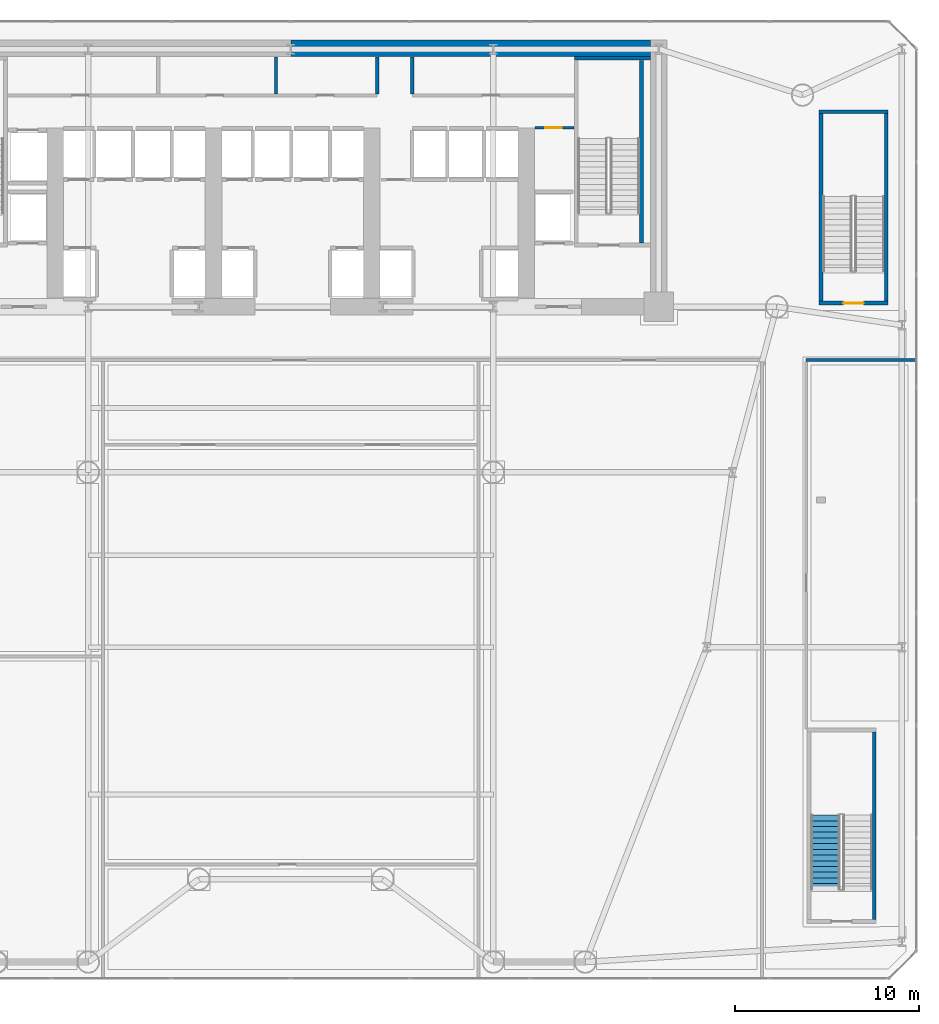
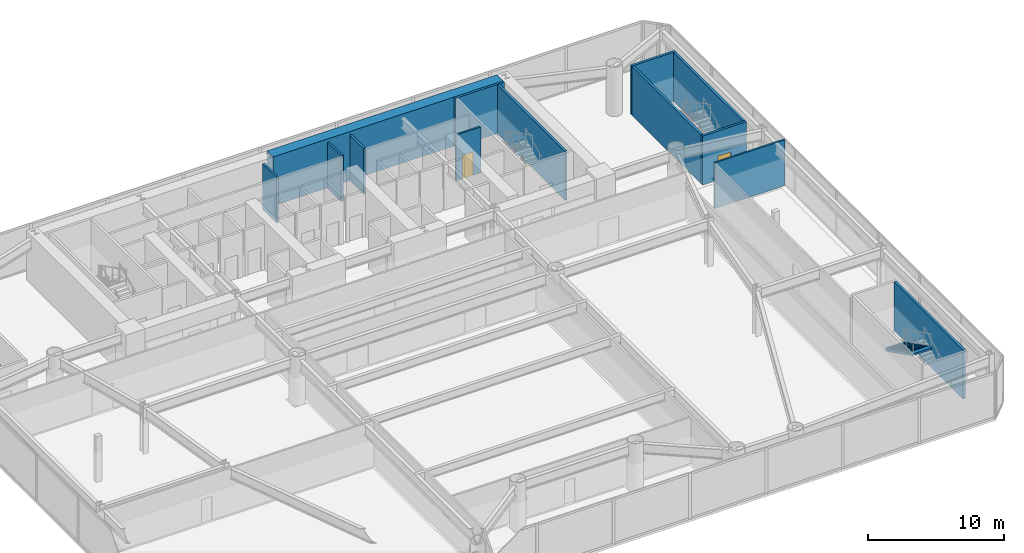
# One storey, part 16 of 24: 13 walls, 2 doors, 1 stair flight, 2 openings, 1 element without a shape of its own.
"""IFC4 building model written with IfcOpenShell, lengths in metres."""

from ifc_helpers import new_model, si_unit, direction, frame, frame_2d, origin, place, context, subcontext, project, spatial, polyline, rectangle, outline, extrude, source, transform, mapped, material, layer, layer_set, type_object, element, fill, aggregate, save


model = new_model("IFC4")

# Units and contexts
model_context = context("Model", 3, precision=1e-05, world=origin(), true_north=direction((0.0, 1.0)))
body_context = subcontext(model_context, "Body", "Model", "MODEL_VIEW")
ifc_project = project(units=[si_unit("LENGTHUNIT", "METRE"), si_unit("AREAUNIT", "SQUARE_METRE"), si_unit("VOLUMEUNIT", "CUBIC_METRE"), si_unit("PLANEANGLEUNIT", "RADIAN"), si_unit("MASSUNIT", "GRAM", prefix="KILO")], contexts=[model_context])

# Site, building, storey
site_placement = place(None, origin())
site = spatial("IfcSite", under=ifc_project, at=site_placement, CompositionType="ELEMENT")
building_placement = place(site_placement, origin())
building = spatial("IfcBuilding", under=site, at=building_placement, Name="Vaeldorn Concourse Tower", CompositionType="ELEMENT")
storey_placement = place(building_placement, frame((0.0, 0.0, 10.0)))
storey = spatial("IfcBuildingStorey", under=building, at=storey_placement, Name="L02", CompositionType="ELEMENT", Elevation=10.0)

# Wall
ifc_material_1 = material(Name="Concrete C60/75", Category="concrete")
ifc_layer_1 = layer(ifc_material_1, 0.89990234375)
ifc_layer_set_1 = layer_set([ifc_layer_1], Name="Concrete C60/75")
wall_type_1 = type_object("IfcWallType", Name="WL-CORE-900", PredefinedType="SHEAR", material=ifc_layer_set_1)
wall_1_placement = place(storey_placement, frame((34.001953125, 50.550048828125, 0.0), z_axis=(0.0, 0.0, 1.0), x_axis=(1.0, 0.0, 0.0)))
element("IfcWall", 1, at=wall_1_placement, inside=storey, type_object=wall_type_1, Name="Rear Core Shear Wall L02 N2", PredefinedType="SHEAR", context=body_context, shape_type="SweptSolid", body=[
    extrude(rectangle(XDim=19.5439453125, YDim=0.89990234375, at=frame_2d((9.77197265625, 0.0))), origin(), (0.0, 0.0, 1.0), 4.39990234375),
])

# Wall, opening, door
ifc_material_2 = material(Name="Gypsum Board Partition", Category="gypsum")
ifc_layer_2 = layer(ifc_material_2, 0.14990234375)
ifc_layer_set_2 = layer_set([ifc_layer_2], Name="Gypsum Board Partition")
wall_type_2 = type_object("IfcWallType", Name="WL-PART-150", PredefinedType="PARTITIONING", material=ifc_layer_set_2)
wall_2_placement = place(storey_placement, frame((47.280029296875, 46.219970703125, 0.0), z_axis=(0.0, 0.0, 1.0), x_axis=(1.0, 0.0, 0.0)))
wall_2 = element("IfcWall", 2, at=wall_2_placement, inside=storey, type_object=wall_type_2, Name="Interior Wall CW-L02-CRSE-N", PredefinedType="PARTITIONING", context=body_context, shape_type="SweptSolid", body=[
    extrude(rectangle(XDim=2.099853515625, YDim=0.14990234375, at=frame_2d((1.0498046875, 0.0))), origin(), (0.0, 0.0, 1.0), 4.1201171875),
])
opening_1_placement = place(wall_2_placement, frame((0.550048828125, 0.0, 0.0)))
opening_1 = element("IfcOpeningElement", 3, at=opening_1_placement, cuts=wall_2, Name="Opening D-02", PredefinedType="OPENING", context=body_context, shape_type="SweptSolid", body=[
    extrude(rectangle(XDim=0.89990234375, YDim=2.10009765625, at=frame_2d((0.449951171875, 1.050048828125))), frame((0.0, 0.0849609375, 0.0), z_axis=(0.0, -1.0, 0.0), x_axis=(1.0, 0.0, 0.0)), (0.0, 0.0, 1.0), 0.169921875),
])
ifc_material_3 = material(Name="Fire-Rated Timber Leaf", Category="wood")
door_type_1 = type_object("IfcDoorType", Name="DR-FD30-900", OperationType="NOTDEFINED", PredefinedType="DOOR", material=ifc_material_3)
shared_shape_1 = source(origin(), body_context, "Body", "SweptSolid", [
    extrude(rectangle(XDim=0.89990234375, YDim=2.10009765625, at=frame_2d((0.449951171875, 1.050048828125))), frame((0.0, 0.02490234375, 0.0), z_axis=(0.0, -1.0, 0.0), x_axis=(1.0, 0.0, 0.0)), (0.0, 0.0, 1.0), 0.050048828125),
])
door_1_placement = place(opening_1_placement, origin())
door_1 = element("IfcDoor", 4, at=door_1_placement, inside=storey, type_object=door_type_1, Name="Interior Door DR-L02-CRSE", OperationType="SINGLE_SWING_RIGHT", OverallHeight=2.10009765625, OverallWidth=0.89990234375, PredefinedType="DOOR", context=body_context, shape_type="MappedRepresentation", body=[
    mapped(shared_shape_1, transform((0.0, 0.0, 0.0), scale=1.0)),
])
fill(opening_1, door_1)

# Walls
wall_3_placement = place(storey_placement, frame((62.0, 33.60009765625, 0.0), z_axis=(0.0, 0.0, 1.0), x_axis=(1.0, 0.0, 0.0)))
element("IfcWall", 5, at=wall_3_placement, inside=storey, type_object=wall_type_2, Name="Interior Wall PW-L02-CORE", PredefinedType="PARTITIONING", context=body_context, shape_type="SweptSolid", body=[
    extrude(rectangle(XDim=5.9599609375, YDim=0.14990234375, at=frame_2d((2.97998046875, 0.0))), origin(), (0.0, 0.0, 1.0), 4.1201171875),
])
ifc_layer_3 = layer(ifc_material_2, 0.179931640625)
ifc_layer_set_3 = layer_set([ifc_layer_3], Name="Gypsum Board Partition")
wall_type_3 = type_object("IfcWallType", Name="WL-PLUMB-180", PredefinedType="PLUMBINGWALL", material=ifc_layer_set_3)
for number, where, z_axis, x_axis, name in (
    (6, (33.199951171875, 48.06005859375, 0.0), (0.0, 0.0, 1.0), (0.0, 1.0, 0.0), "Interior Wall CW-L02-NDIV2"),
    (7, (38.699951171875, 48.06005859375, 0.0), (0.0, 0.0, 1.0), (0.0, 1.0, 0.0), "Interior Wall CW-L02-NDIV3"),
    (8, (40.60009765625, 48.06005859375, 0.0), (0.0, 0.0, 1.0), (0.0, 1.0, 0.0), "Interior Wall CW-L02-NDIV4"),
):
    element("IfcWall", number, at=place(storey_placement, frame(where, z_axis=z_axis, x_axis=x_axis)), inside=storey, type_object=wall_type_3, Name=name, PredefinedType="PLUMBINGWALL", context=body_context, shape_type="SweptSolid", body=[
        extrude(rectangle(XDim=2.02001953125, YDim=0.179931640625, at=frame_2d((1.010009765625, 0.0))), origin(), (0.0, 0.0, 1.0), 4.1201171875),
    ])
ifc_material_4 = material(Name="Concrete C50/60", Category="concrete")
ifc_layer_4 = layer(ifc_material_4, 0.199951171875)
ifc_layer_set_4 = layer_set([ifc_layer_4], Name="Concrete C50/60")
wall_type_4 = type_object("IfcWallType", Name="WL-SHAFT-200", PredefinedType="SOLIDWALL", material=ifc_layer_set_4)
wall_4_placement = place(storey_placement, frame((49.39990234375, 50.0, 0.0), z_axis=(0.0, 0.0, 1.0), x_axis=(1.0, 0.0, 0.0)))
element("IfcWall", 9, at=wall_4_placement, inside=storey, type_object=wall_type_4, Name="Stair Shaft Wall CW-L02-ST-2-N", PredefinedType="SOLIDWALL", context=body_context, shape_type="SweptSolid", body=[
    extrude(rectangle(XDim=4.150146484375, YDim=0.199951171875, at=frame_2d((2.0751953125, 0.0))), origin(), (0.0, 0.0, 1.0), 4.39990234375),
])
wall_5_placement = place(storey_placement, frame((53.050048828125, 39.9599609375, 0.0), z_axis=(0.0, 0.0, 1.0), x_axis=(0.0, 1.0, 0.0)))
element("IfcWall", 10, at=wall_5_placement, inside=storey, type_object=wall_type_4, Name="Stair Shaft Wall CW-L02-ST-2-E", PredefinedType="SOLIDWALL", context=body_context, shape_type="SweptSolid", body=[
    extrude(rectangle(XDim=9.929931640625, YDim=0.199951171875, at=frame_2d((4.96484375, 0.0))), origin(), (0.0, 0.0, 1.0), 4.39990234375),
])

# Wall, opening, door
wall_6_placement = place(storey_placement, frame((62.699951171875, 36.699951171875, 0.0), z_axis=(0.0, 0.0, 1.0), x_axis=(1.0, 0.0, 0.0)))
wall_6 = element("IfcWall", 11, at=wall_6_placement, inside=storey, type_object=wall_type_4, Name="Stair Shaft Wall CW-L02-ST-4-S", PredefinedType="SOLIDWALL", context=body_context, shape_type="SweptSolid", body=[
    extrude(rectangle(XDim=3.75, YDim=0.199951171875, at=frame_2d((1.875, 0.0))), origin(), (0.0, 0.0, 1.0), 4.39990234375),
])
opening_2_placement = place(wall_6_placement, frame((1.324951171875, 0.0, 0.0)))
opening_2 = element("IfcOpeningElement", 12, at=opening_2_placement, cuts=wall_6, Name="Opening D-01", PredefinedType="OPENING", context=body_context, shape_type="SweptSolid", body=[
    extrude(rectangle(XDim=1.10009765625, YDim=2.14990234375, at=frame_2d((0.550048828125, 1.074951171875))), frame((0.0, 0.10986328125, 0.0), z_axis=(0.0, -1.0, 0.0), x_axis=(1.0, 0.0, 0.0)), (0.0, 0.0, 1.0), 0.219970703125),
])
ifc_material_5 = material(Name="Fire-Rated Timber and Steel Leaf", Category="steel")
door_type_2 = type_object("IfcDoorType", Name="DR-FD60-1100", OperationType="NOTDEFINED", PredefinedType="DOOR", material=ifc_material_5)
shared_shape_2 = source(origin(), body_context, "Body", "SweptSolid", [
    extrude(rectangle(XDim=1.10009765625, YDim=2.14990234375, at=frame_2d((0.550048828125, 1.074951171875))), frame((0.0, 0.02490234375, 0.0), z_axis=(0.0, -1.0, 0.0), x_axis=(1.0, 0.0, 0.0)), (0.0, 0.0, 1.0), 0.050048828125),
])
door_2_placement = place(opening_2_placement, origin())
door_2 = element("IfcDoor", 13, at=door_2_placement, inside=storey, type_object=door_type_2, Name="Interior Door DR-L02-ST-4", OperationType="SINGLE_SWING_RIGHT", OverallHeight=2.14990234375, OverallWidth=1.10009765625, PredefinedType="DOOR", context=body_context, shape_type="MappedRepresentation", body=[
    mapped(shared_shape_2, transform((0.0, 0.0, 0.0), scale=1.0)),
])
fill(opening_2, door_2)

# Walls
wall_7_placement = place(storey_placement, frame((62.699951171875, 47.10009765625, 0.0), z_axis=(0.0, 0.0, 1.0), x_axis=(1.0, 0.0, 0.0)))
element("IfcWall", 14, at=wall_7_placement, inside=storey, type_object=wall_type_4, Name="Stair Shaft Wall CW-L02-ST-4-N", PredefinedType="SOLIDWALL", context=body_context, shape_type="SweptSolid", body=[
    extrude(rectangle(XDim=3.75, YDim=0.199951171875, at=frame_2d((1.875, 0.0))), origin(), (0.0, 0.0, 1.0), 4.39990234375),
])
for number, where, z_axis, x_axis, name in (
    (15, (62.800048828125, 36.81005859375, 0.0), (0.0, 0.0, 1.0), (0.0, 1.0, 0.0), "Stair Shaft Wall CW-L02-ST-4-W"),
    (16, (66.35009765625, 36.81005859375, 0.0), (0.0, 0.0, 1.0), (0.0, 1.0, 0.0), "Stair Shaft Wall CW-L02-ST-4-E"),
    (17, (65.699951171875, 3.2099609375, 0.0), (0.0, 0.0, 1.0), (0.0, 1.0, 0.0), "Stair Shaft Wall CW-L02-ST-5-E"),
):
    element("IfcWall", number, at=place(storey_placement, frame(where, z_axis=z_axis, x_axis=x_axis)), inside=storey, type_object=wall_type_4, Name=name, PredefinedType="SOLIDWALL", context=body_context, shape_type="SweptSolid", body=[
        extrude(rectangle(XDim=10.179931640625, YDim=0.199951171875, at=frame_2d((5.08984375, 0.0))), origin(), (0.0, 0.0, 1.0), 4.39990234375),
    ])

# Stair, stair flight
ifc_material_6 = material(Name="Precast concrete C40/50", Category="concrete")
stair_type = type_object("IfcStairType", Name="STR-DOG-28x157", PredefinedType="HALF_TURN_STAIR", material=ifc_material_6)
stair_placement = place(storey_placement, origin())
stair = element("IfcStair", 18, at=stair_placement, inside=storey, type_object=stair_type, Name="L02 Podium Auditorium Exit Stair ST-5", PredefinedType="HALF_TURN_STAIR")
stair_flight_type = type_object("IfcStairFlightType", Name="STF-STR-14x157", PredefinedType="STRAIGHT", material=ifc_material_6)
stair_flight_placement = place(storey_placement, frame((63.050048828125, 8.8798828125, 2.199951171875), z_axis=(0.0, 0.0, 1.0), x_axis=(0.0, -1.0, 0.0)))
stair_flight = element("IfcStairFlight", 19, at=stair_flight_placement, type_object=stair_flight_type, Name="ST-5 flight 2", NumberOfRisers=14, NumberOfTreads=13, PredefinedType="STRAIGHT", RiserHeight=0.157142857, TreadLength=0.31, context=body_context, shape_type="SweptSolid", body=[
    extrude(outline(polyline([(0.0, 0.0), (0.0, 0.1572265625), (0.31005859375, 0.1572265625), (0.31005859375, 0.314208984375), (0.6201171875, 0.314208984375), (0.6201171875, 0.471435546875), (0.929931640625, 0.471435546875), (0.929931640625, 0.628662109375), (1.239990234375, 0.628662109375), (1.239990234375, 0.78564453125), (1.550048828125, 0.78564453125), (1.550048828125, 0.94287109375), (1.860107421875, 0.94287109375), (1.860107421875, 1.10009765625), (2.169921875, 1.10009765625), (2.169921875, 1.257080078125), (2.47998046875, 1.257080078125), (2.47998046875, 1.414306640625), (2.7900390625, 1.414306640625), (2.7900390625, 1.571533203125), (3.10009765625, 1.571533203125), (3.10009765625, 1.728515625), (3.409912109375, 1.728515625), (3.409912109375, 1.8857421875), (3.719970703125, 1.8857421875), (3.719970703125, 2.04296875), (4.030029296875, 2.04296875), (4.030029296875, 2.199951171875), (4.030029296875, 1.874755859375), (0.33154296875, 0.0), (0.0, 0.0)])), frame((0.0, 0.800048828125, 0.0), z_axis=(0.0, -1.0, 0.0), x_axis=(1.0, 0.0, 0.0)), (0.0, 0.0, 1.0), 1.60009765625),
])
aggregate(stair, [stair_flight])

save(model, "model.ifc")
